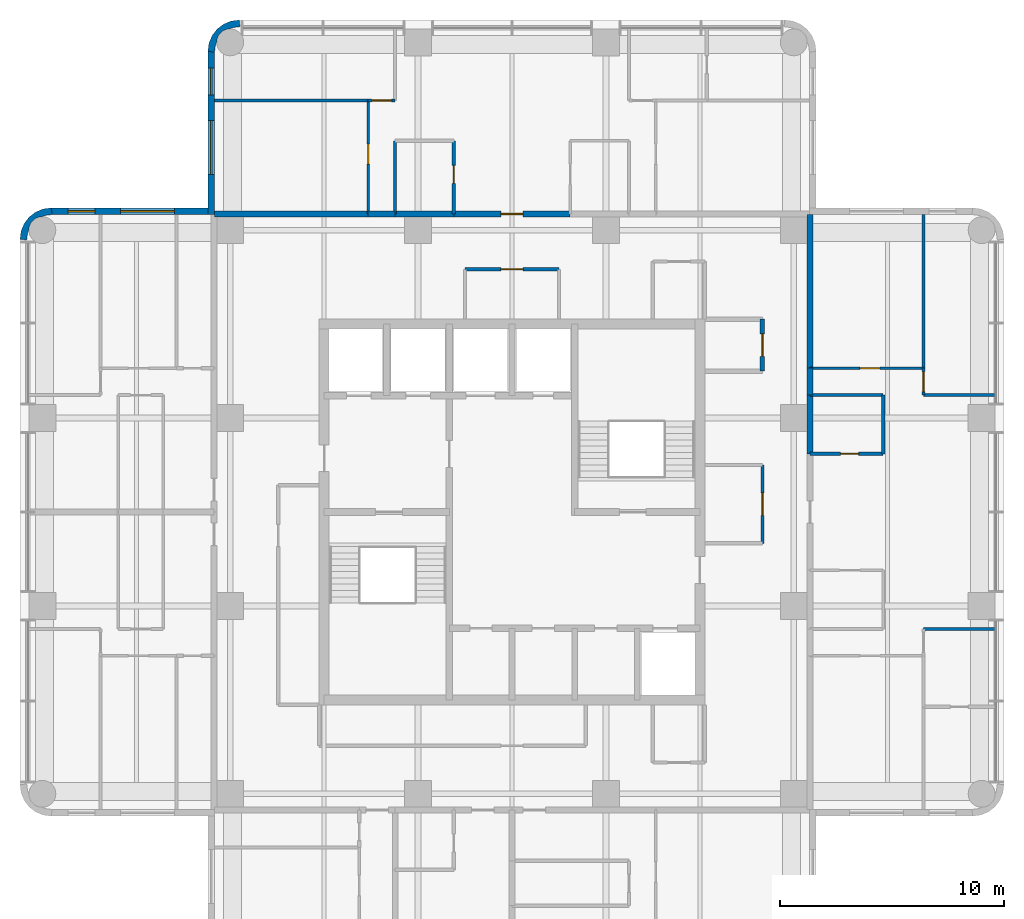
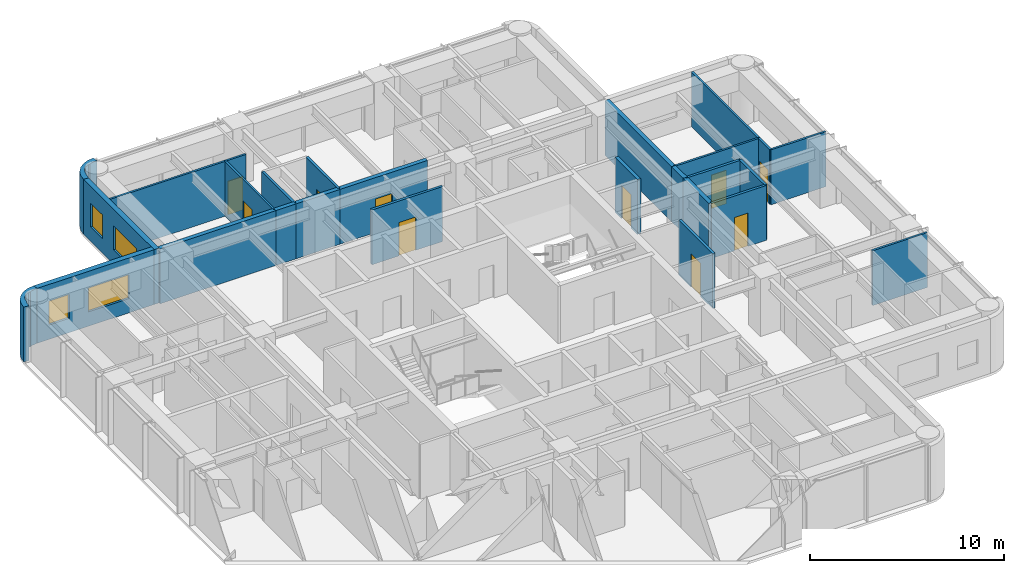
# One storey, part 7 of 9: 27 walls, 10 doors, 4 windows, 14 openings.
"""IFC4 building model written with IfcOpenShell, lengths in metres."""

from ifc_helpers import new_model, si_unit, direction, frame, frame_2d, origin, place, context, subcontext, project, spatial, polyline, rectangle, outline, extrude, material, layer, layer_set, type_object, element, fill, save


model = new_model("IFC4")

# Units and contexts
model_context = context("Model", 3, precision=1e-05, world=origin(), true_north=direction((0.0, 1.0)))
body_context = subcontext(model_context, "Body", "Model", "MODEL_VIEW")
ifc_project = project(units=[si_unit("LENGTHUNIT", "METRE"), si_unit("AREAUNIT", "SQUARE_METRE"), si_unit("VOLUMEUNIT", "CUBIC_METRE"), si_unit("PLANEANGLEUNIT", "RADIAN"), si_unit("MASSUNIT", "GRAM", prefix="KILO")], contexts=[model_context])

# Site, building, storey
site_placement = place(None, origin())
site = spatial("IfcSite", under=ifc_project, at=site_placement, CompositionType="ELEMENT")
building_placement = place(site_placement, origin())
building = spatial("IfcBuilding", under=site, at=building_placement, Name="Torre Alcanfor", CompositionType="ELEMENT")
storey_placement = place(building_placement, frame((0.0, 0.0, 268.5)))
storey = spatial("IfcBuildingStorey", under=building, at=storey_placement, Name="L70", CompositionType="ELEMENT", Elevation=268.5)

# Wall, opening, door
ifc_material_1 = material(Name="Concrete block masonry, hollow blocks NMX-C-404 9 MPa", Category="masonry")
ifc_layer_1 = layer(ifc_material_1, 0.25)
ifc_layer_set_1 = layer_set([ifc_layer_1], Name="Apartment entrance wall 250 EI 60")
wall_type_1 = type_object("IfcWallType", Name="Apartment entrance wall 250 EI 60", PredefinedType="PARTITIONING", material=ifc_layer_set_1)
wall_1_placement = place(storey_placement, frame((26.800048828125, 42.72509765625, 0.0), z_axis=(0.0, 0.0, 1.0), x_axis=(1.0, 0.0, 0.0)))
wall_1 = element("IfcWall", 1, at=wall_1_placement, inside=storey, type_object=wall_type_1, Name="Partition L70-CORR / L70-NX-ZAG", PredefinedType="PARTITIONING", context=body_context, shape_type="SweptSolid", body=[
    extrude(rectangle(XDim=5.199951171875, YDim=0.25, at=frame_2d((2.60009765625, 0.0))), origin(), (0.0, 0.0, 1.0), 3.449951171875),
])
opening_1_placement = place(wall_1_placement, frame((2.10009765625, 0.0, 0.0)))
opening_1 = element("IfcOpeningElement", 2, at=opening_1_placement, cuts=wall_1, Name="Opening D-A1", PredefinedType="OPENING", context=body_context, shape_type="SweptSolid", body=[
    extrude(rectangle(XDim=1.0, YDim=2.10009765625, at=frame_2d((0.5, 1.050048828125))), frame((0.0, 0.135009765625, 0.0), z_axis=(0.0, -1.0, 0.0), x_axis=(1.0, 0.0, 0.0)), (0.0, 0.0, 1.0), 0.27001953125),
])
ifc_material_2 = material(Name="Galvanised steel sheet ASTM A653", Category="steel")
door_type_1 = type_object("IfcDoorType", Name="Apartment entrance door FD60 1000x2100", OperationType="SINGLE_SWING_LEFT", PredefinedType="DOOR", material=ifc_material_2)
door_1_placement = place(opening_1_placement, origin())
door_1 = element("IfcDoor", 3, at=door_1_placement, inside=storey, type_object=door_type_1, Name="Apartment entrance L70-NX", OperationType="SINGLE_SWING_LEFT", OverallHeight=2.10009765625, OverallWidth=1.0, PredefinedType="DOOR", context=body_context, shape_type="SweptSolid", body=[
    extrude(rectangle(XDim=1.0, YDim=2.10009765625, at=frame_2d((0.5, 1.050048828125))), frame((0.0, 0.02490234375, 0.0), z_axis=(0.0, -1.0, 0.0), x_axis=(1.0, 0.0, 0.0)), (0.0, 0.0, 1.0), 0.050048828125),
])
fill(opening_1, door_1)

# Walls
wall_2_placement = place(storey_placement, frame((24.1708984375, 42.72509765625, 0.0), z_axis=(0.0, 0.0, 1.0), x_axis=(1.0, 0.0, 0.0)))
element("IfcWall", 4, at=wall_2_placement, inside=storey, type_object=wall_type_1, Name="Partition L70-CORR / L70-NX-BATH2", PredefinedType="PARTITIONING", context=body_context, shape_type="SweptSolid", body=[
    extrude(rectangle(XDim=2.629150390625, YDim=0.25, at=frame_2d((1.314453125, 0.0))), origin(), (0.0, 0.0, 1.0), 3.449951171875),
])
wall_3_placement = place(storey_placement, frame((22.970947265625, 42.72509765625, 0.0), z_axis=(0.0, 0.0, 1.0), x_axis=(1.0, 0.0, 0.0)))
element("IfcWall", 5, at=wall_3_placement, inside=storey, type_object=wall_type_1, Name="Partition L70-CORR / L70-NX-LIVING", PredefinedType="PARTITIONING", context=body_context, shape_type="SweptSolid", body=[
    extrude(rectangle(XDim=1.199951171875, YDim=0.25, at=frame_2d((0.60009765625, 0.0))), origin(), (0.0, 0.0, 1.0), 3.449951171875),
])
wall_4_placement = place(storey_placement, frame((16.10009765625, 42.72509765625, 0.0), z_axis=(0.0, 0.0, 1.0), x_axis=(1.0, 0.0, 0.0)))
element("IfcWall", 6, at=wall_4_placement, inside=storey, type_object=wall_type_1, Name="Partition L70-CORR / L70-NX-BED2", PredefinedType="PARTITIONING", context=body_context, shape_type="SweptSolid", body=[
    extrude(rectangle(XDim=6.870849609375, YDim=0.25, at=frame_2d((3.435546875, 0.0))), origin(), (0.0, 0.0, 1.0), 3.449951171875),
])
wall_5_placement = place(storey_placement, frame((42.72509765625, 34.62890625, 0.0), z_axis=(0.0, 0.0, 1.0), x_axis=(0.0, -1.0, 0.0)))
element("IfcWall", 7, at=wall_5_placement, inside=storey, type_object=wall_type_1, Name="Partition L70-CORR / L70-EX-BATH2", PredefinedType="PARTITIONING", context=body_context, shape_type="SweptSolid", body=[
    extrude(rectangle(XDim=2.62890625, YDim=0.25, at=frame_2d((1.314453125, 0.0))), origin(), (0.0, 0.0, 1.0), 3.449951171875),
])
wall_6_placement = place(storey_placement, frame((42.72509765625, 35.8291015625, 0.0), z_axis=(0.0, 0.0, 1.0), x_axis=(0.0, -1.0, 0.0)))
element("IfcWall", 8, at=wall_6_placement, inside=storey, type_object=wall_type_1, Name="Partition L70-CORR / L70-EX-LIVING", PredefinedType="PARTITIONING", context=body_context, shape_type="SweptSolid", body=[
    extrude(rectangle(XDim=1.2001953125, YDim=0.25, at=frame_2d((0.60009765625, 0.0))), origin(), (0.0, 0.0, 1.0), 3.449951171875),
])
wall_7_placement = place(storey_placement, frame((42.72509765625, 42.699951171875, 0.0), z_axis=(0.0, 0.0, 1.0), x_axis=(0.0, -1.0, 0.0)))
element("IfcWall", 9, at=wall_7_placement, inside=storey, type_object=wall_type_1, Name="Partition L70-CORR / L70-EX-BED2", PredefinedType="PARTITIONING", context=body_context, shape_type="SweptSolid", body=[
    extrude(rectangle(XDim=6.870849609375, YDim=0.25, at=frame_2d((3.435546875, 0.0))), origin(), (0.0, 0.0, 1.0), 3.449951171875),
])

# Wall, opening, door
ifc_material_3 = material(Name="Gypsum board on steel studs", Category="steel")
ifc_layer_2 = layer(ifc_material_3, 0.1201171875)
ifc_layer_set_2 = layer_set([ifc_layer_2], Name="Apartment partition 120")
wall_type_2 = type_object("IfcWallType", Name="Apartment partition 120", PredefinedType="PARTITIONING", material=ifc_layer_set_2)
wall_8_placement = place(storey_placement, frame((22.970947265625, 42.72509765625, 0.0), z_axis=(0.0, 0.0, 1.0), x_axis=(0.0, 1.0, 0.0)))
wall_8 = element("IfcWall", 10, at=wall_8_placement, inside=storey, type_object=wall_type_2, Name="Partition L70-NX-LIVING / L70-NX-BED2", PredefinedType="PARTITIONING", context=body_context, shape_type="SweptSolid", body=[
    extrude(rectangle(XDim=5.074951171875, YDim=0.1201171875, at=frame_2d((2.53759765625, 0.0))), origin(), (0.0, 0.0, 1.0), 3.449951171875),
])
opening_2_placement = place(wall_8_placement, frame((2.22509765625, 0.0, 0.0)))
opening_2 = element("IfcOpeningElement", 11, at=opening_2_placement, cuts=wall_8, Name="Opening D-R1", PredefinedType="OPENING", context=body_context, shape_type="SweptSolid", body=[
    extrude(rectangle(XDim=0.89990234375, YDim=2.10009765625, at=frame_2d((0.449951171875, 1.050048828125))), frame((0.0, 0.070068359375, 0.0), z_axis=(0.0, -1.0, 0.0), x_axis=(1.0, 0.0, 0.0)), (0.0, 0.0, 1.0), 0.14013671875),
])
ifc_material_4 = material(Name="Timber", Category="wood")
door_type_2 = type_object("IfcDoorType", Name="Internal door 900x2100", OperationType="SINGLE_SWING_LEFT", PredefinedType="DOOR", material=ifc_material_4)
door_2_placement = place(opening_2_placement, origin())
door_2 = element("IfcDoor", 12, at=door_2_placement, inside=storey, type_object=door_type_2, Name="Door L70-NX bed2", OperationType="SINGLE_SWING_RIGHT", OverallHeight=2.10009765625, OverallWidth=0.89990234375, PredefinedType="DOOR", context=body_context, shape_type="SweptSolid", body=[
    extrude(rectangle(XDim=0.89990234375, YDim=2.10009765625, at=frame_2d((0.449951171875, 1.050048828125))), frame((0.0, 0.02490234375, 0.0), z_axis=(0.0, -1.0, 0.0), x_axis=(1.0, 0.0, 0.0)), (0.0, 0.0, 1.0), 0.050048828125),
])
fill(opening_2, door_2)

wall_9_placement = place(storey_placement, frame((22.970947265625, 47.800048828125, 0.0), z_axis=(0.0, 0.0, 1.0), x_axis=(1.0, 0.0, 0.0)))
wall_9 = element("IfcWall", 13, at=wall_9_placement, inside=storey, type_object=wall_type_2, Name="Partition L70-NX-LIVING / L70-NX-MASTER", PredefinedType="PARTITIONING", context=body_context, shape_type="SweptSolid", body=[
    extrude(rectangle(XDim=1.199951171875, YDim=0.1201171875, at=frame_2d((0.60009765625, 0.0))), origin(), (0.0, 0.0, 1.0), 3.449951171875),
])
opening_3_placement = place(wall_9_placement, frame((0.14892578125, 0.0, 0.0)))
opening_3 = element("IfcOpeningElement", 14, at=opening_3_placement, cuts=wall_9, Name="Opening D-R1", PredefinedType="OPENING", context=body_context, shape_type="SweptSolid", body=[
    extrude(rectangle(XDim=0.89990234375, YDim=2.10009765625, at=frame_2d((0.449951171875, 1.050048828125))), frame((0.0, 0.070068359375, 0.0), z_axis=(0.0, -1.0, 0.0), x_axis=(1.0, 0.0, 0.0)), (0.0, 0.0, 1.0), 0.14013671875),
])
door_3_placement = place(opening_3_placement, origin())
door_3 = element("IfcDoor", 15, at=door_3_placement, inside=storey, type_object=door_type_2, Name="Door L70-NX master", OperationType="SINGLE_SWING_RIGHT", OverallHeight=2.10009765625, OverallWidth=0.89990234375, PredefinedType="DOOR", context=body_context, shape_type="SweptSolid", body=[
    extrude(rectangle(XDim=0.89990234375, YDim=2.10009765625, at=frame_2d((0.449951171875, 1.050048828125))), frame((0.0, 0.02490234375, 0.0), z_axis=(0.0, -1.0, 0.0), x_axis=(1.0, 0.0, 0.0)), (0.0, 0.0, 1.0), 0.050048828125),
])
fill(opening_3, door_3)

# Wall
wall_10_placement = place(storey_placement, frame((22.970947265625, 47.800048828125, 0.0), z_axis=(0.0, 0.0, 1.0), x_axis=(-1.0, 0.0, 0.0)))
element("IfcWall", 16, at=wall_10_placement, inside=storey, type_object=wall_type_2, Name="Partition L70-NX-BED2 / L70-NX-MASTER", PredefinedType="PARTITIONING", context=body_context, shape_type="SweptSolid", body=[
    extrude(rectangle(XDim=6.870849609375, YDim=0.1201171875, at=frame_2d((3.435546875, 0.0))), origin(), (0.0, 0.0, 1.0), 3.449951171875),
])

# Wall, opening, door
wall_11_placement = place(storey_placement, frame((42.72509765625, 35.8291015625, 0.0), z_axis=(0.0, 0.0, 1.0), x_axis=(1.0, 0.0, 0.0)))
wall_11 = element("IfcWall", 17, at=wall_11_placement, inside=storey, type_object=wall_type_2, Name="Partition L70-EX-LIVING / L70-EX-BED2", PredefinedType="PARTITIONING", context=body_context, shape_type="SweptSolid", body=[
    extrude(rectangle(XDim=5.074951171875, YDim=0.1201171875, at=frame_2d((2.53759765625, 0.0))), origin(), (0.0, 0.0, 1.0), 3.449951171875),
])
opening_4_placement = place(wall_11_placement, frame((2.22509765625, 0.0, 0.0)))
opening_4 = element("IfcOpeningElement", 18, at=opening_4_placement, cuts=wall_11, Name="Opening D-R1", PredefinedType="OPENING", context=body_context, shape_type="SweptSolid", body=[
    extrude(rectangle(XDim=0.89990234375, YDim=2.10009765625, at=frame_2d((0.449951171875, 1.050048828125))), frame((0.0, 0.070068359375, 0.0), z_axis=(0.0, -1.0, 0.0), x_axis=(1.0, 0.0, 0.0)), (0.0, 0.0, 1.0), 0.14013671875),
])
door_4_placement = place(opening_4_placement, origin())
door_4 = element("IfcDoor", 19, at=door_4_placement, inside=storey, type_object=door_type_2, Name="Door L70-EX bed2", OperationType="SINGLE_SWING_RIGHT", OverallHeight=2.10009765625, OverallWidth=0.89990234375, PredefinedType="DOOR", context=body_context, shape_type="SweptSolid", body=[
    extrude(rectangle(XDim=0.89990234375, YDim=2.10009765625, at=frame_2d((0.449951171875, 1.050048828125))), frame((0.0, 0.02490234375, 0.0), z_axis=(0.0, -1.0, 0.0), x_axis=(1.0, 0.0, 0.0)), (0.0, 0.0, 1.0), 0.050048828125),
])
fill(opening_4, door_4)

wall_12_placement = place(storey_placement, frame((47.800048828125, 35.8291015625, 0.0), z_axis=(0.0, 0.0, 1.0), x_axis=(0.0, -1.0, 0.0)))
wall_12 = element("IfcWall", 20, at=wall_12_placement, inside=storey, type_object=wall_type_2, Name="Partition L70-EX-LIVING / L70-EX-MASTER", PredefinedType="PARTITIONING", context=body_context, shape_type="SweptSolid", body=[
    extrude(rectangle(XDim=1.2001953125, YDim=0.1201171875, at=frame_2d((0.60009765625, 0.0))), origin(), (0.0, 0.0, 1.0), 3.449951171875),
])
opening_5_placement = place(wall_12_placement, frame((0.14892578125, 0.0, 0.0)))
opening_5 = element("IfcOpeningElement", 21, at=opening_5_placement, cuts=wall_12, Name="Opening D-R1", PredefinedType="OPENING", context=body_context, shape_type="SweptSolid", body=[
    extrude(rectangle(XDim=0.89990234375, YDim=2.10009765625, at=frame_2d((0.449951171875, 1.050048828125))), frame((0.0, 0.070068359375, 0.0), z_axis=(0.0, -1.0, 0.0), x_axis=(1.0, 0.0, 0.0)), (0.0, 0.0, 1.0), 0.14013671875),
])
door_5_placement = place(opening_5_placement, origin())
door_5 = element("IfcDoor", 22, at=door_5_placement, inside=storey, type_object=door_type_2, Name="Door L70-EX master", OperationType="SINGLE_SWING_RIGHT", OverallHeight=2.10009765625, OverallWidth=0.89990234375, PredefinedType="DOOR", context=body_context, shape_type="SweptSolid", body=[
    extrude(rectangle(XDim=0.89990234375, YDim=2.10009765625, at=frame_2d((0.449951171875, 1.050048828125))), frame((0.0, 0.02490234375, 0.0), z_axis=(0.0, -1.0, 0.0), x_axis=(1.0, 0.0, 0.0)), (0.0, 0.0, 1.0), 0.050048828125),
])
fill(opening_5, door_5)

# Walls
for number, where, z_axis, x_axis, name in (
    (23, (47.800048828125, 34.62890625, 0.0), (0.0, 0.0, 1.0), (1.0, 0.0, 0.0), "Partition L70-EX-LIVING / L70-EX-MASTER"),
    (24, (51.050048828125, 24.1708984375, 0.0), (0.0, 0.0, 1.0), (-1.0, 0.0, 0.0), "Partition L70-EX-LIVING / L70-EX-BED1"),
):
    element("IfcWall", number, at=place(storey_placement, frame(where, z_axis=z_axis, x_axis=x_axis)), inside=storey, type_object=wall_type_2, Name=name, PredefinedType="PARTITIONING", context=body_context, shape_type="SweptSolid", body=[
        extrude(rectangle(XDim=3.25, YDim=0.1201171875, at=frame_2d((1.625, 0.0))), origin(), (0.0, 0.0, 1.0), 3.449951171875),
    ])
wall_13_placement = place(storey_placement, frame((47.800048828125, 35.8291015625, 0.0), z_axis=(0.0, 0.0, 1.0), x_axis=(0.0, 1.0, 0.0)))
element("IfcWall", 25, at=wall_13_placement, inside=storey, type_object=wall_type_2, Name="Partition L70-EX-BED2 / L70-EX-MASTER", PredefinedType="PARTITIONING", context=body_context, shape_type="SweptSolid", body=[
    extrude(rectangle(XDim=6.870849609375, YDim=0.1201171875, at=frame_2d((3.435546875, 0.0))), origin(), (0.0, 0.0, 1.0), 3.449951171875),
])

# Wall, openings, windows
ifc_material_5 = material(Name="Limestone cladding", Category="masonry")
ifc_layer_3 = layer(ifc_material_5, 0.0400390625, Name="Facing")
ifc_material_6 = material(Name="Ventilated air cavity")
ifc_layer_4 = layer(ifc_material_6, 0.02001953125, ventilated=True, Name="Ventilated joint")
ifc_material_7 = material(Name="Mineral wool insulation", Category="insulation")
ifc_layer_5 = layer(ifc_material_7, 0.10009765625, Name="Insulation")
ifc_material_8 = material(Name="Concrete f'c 35 MPa", Category="concrete")
ifc_layer_6 = layer(ifc_material_8, 0.139892578125, Name="Backing")
ifc_layer_set_3 = layer_set([ifc_layer_3, ifc_layer_4, ifc_layer_5, ifc_layer_6], Name="External wall stone-clad 300")
wall_type_3 = type_object("IfcWallType", Name="External wall stone-clad 300", PredefinedType="SOLIDWALL", material=ifc_layer_set_3)
wall_14_placement = place(storey_placement, frame((15.800048828125, 42.85009765625, 0.0), z_axis=(0.0, 0.0, 1.0), x_axis=(-1.0, 0.0, 0.0)))
wall_14 = element("IfcWall", 26, at=wall_14_placement, inside=storey, type_object=wall_type_3, Name="External wall L70 1", PredefinedType="SOLIDWALL", context=body_context, shape_type="SweptSolid", body=[
    extrude(rectangle(XDim=7.0, YDim=0.300048828125, at=frame_2d((3.5, 0.0))), origin(), (0.0, 0.0, 1.0), 3.449951171875),
])
opening_6_placement = place(wall_14_placement, frame((1.5, 0.0, 0.89990234375)))
opening_6 = element("IfcOpeningElement", 27, at=opening_6_placement, cuts=wall_14, Name="Opening W1", PredefinedType="OPENING", context=body_context, shape_type="SweptSolid", body=[
    extrude(rectangle(XDim=2.39990234375, YDim=1.5, at=frame_2d((1.199951171875, 0.75))), frame((0.0, 0.159912109375, 0.0), z_axis=(0.0, -1.0, 0.0), x_axis=(1.0, 0.0, 0.0)), (0.0, 0.0, 1.0), 0.320068359375),
])
opening_7_placement = place(wall_14_placement, frame((5.050048828125, 0.0, 0.89990234375)))
opening_7 = element("IfcOpeningElement", 28, at=opening_7_placement, cuts=wall_14, Name="Opening W4", PredefinedType="OPENING", context=body_context, shape_type="SweptSolid", body=[
    extrude(rectangle(XDim=1.199951171875, YDim=1.5, at=frame_2d((0.60009765625, 0.75))), frame((0.0, 0.159912109375, 0.0), z_axis=(0.0, -1.0, 0.0), x_axis=(1.0, 0.0, 0.0)), (0.0, 0.0, 1.0), 0.320068359375),
])
ifc_material_9 = material(Name="Aluminium frame with clear double glazing", Category="aluminium")
window_type_1 = type_object("IfcWindowType", Name="Window bedroom 1200x1500", PartitioningType="SINGLE_PANEL", PredefinedType="WINDOW", material=ifc_material_9)
window_1_placement = place(opening_7_placement, origin())
window_1 = element("IfcWindow", 29, at=window_1_placement, inside=storey, type_object=window_type_1, Name="Window W4 L70-W2", OverallHeight=1.5, OverallWidth=1.199951171875, PartitioningType="SINGLE_PANEL", PredefinedType="WINDOW", context=body_context, shape_type="SweptSolid", body=[
    extrude(rectangle(XDim=1.199951171875, YDim=1.5, at=frame_2d((0.60009765625, 0.75))), frame((0.0, 0.030029296875, 0.0), z_axis=(0.0, -1.0, 0.0), x_axis=(1.0, 0.0, 0.0)), (0.0, 0.0, 1.0), 0.06005859375),
])
fill(opening_7, window_1)
ifc_material_10 = material(Name="Aluminium frame with clear double glazing", Category="aluminium")
window_type_2 = type_object("IfcWindowType", Name="Window bedroom 2400x1500", PartitioningType="SINGLE_PANEL", PredefinedType="WINDOW", material=ifc_material_10)
window_2_placement = place(opening_6_placement, origin())
window_2 = element("IfcWindow", 30, at=window_2_placement, inside=storey, type_object=window_type_2, Name="Window W1 L70-W2", OverallHeight=1.5, OverallWidth=2.39990234375, PartitioningType="SINGLE_PANEL", PredefinedType="WINDOW", context=body_context, shape_type="SweptSolid", body=[
    extrude(rectangle(XDim=2.39990234375, YDim=1.5, at=frame_2d((1.199951171875, 0.75))), frame((0.0, 0.030029296875, 0.0), z_axis=(0.0, -1.0, 0.0), x_axis=(1.0, 0.0, 0.0)), (0.0, 0.0, 1.0), 0.06005859375),
])
fill(opening_6, window_2)

wall_15_placement = place(storey_placement, frame((15.949951171875, 50.0, 0.0), z_axis=(0.0, 0.0, 1.0), x_axis=(0.0, -1.0, 0.0)))
wall_15 = element("IfcWall", 31, at=wall_15_placement, inside=storey, type_object=wall_type_3, Name="External wall L70 12", PredefinedType="SOLIDWALL", context=body_context, shape_type="SweptSolid", body=[
    extrude(rectangle(XDim=7.300048828125, YDim=0.300048828125, at=frame_2d((3.64990234375, 0.0))), origin(), (0.0, 0.0, 1.0), 3.449951171875),
])
opening_8_placement = place(wall_15_placement, frame((3.10009765625, 0.0, 0.89990234375)))
opening_8 = element("IfcOpeningElement", 32, at=opening_8_placement, cuts=wall_15, Name="Opening W1", PredefinedType="OPENING", context=body_context, shape_type="SweptSolid", body=[
    extrude(rectangle(XDim=2.39990234375, YDim=1.5, at=frame_2d((1.199951171875, 0.75))), frame((0.0, 0.159912109375, 0.0), z_axis=(0.0, -1.0, 0.0), x_axis=(1.0, 0.0, 0.0)), (0.0, 0.0, 1.0), 0.320068359375),
])
opening_9_placement = place(wall_15_placement, frame((0.75, 0.0, 0.89990234375)))
opening_9 = element("IfcOpeningElement", 33, at=opening_9_placement, cuts=wall_15, Name="Opening W4", PredefinedType="OPENING", context=body_context, shape_type="SweptSolid", body=[
    extrude(rectangle(XDim=1.199951171875, YDim=1.5, at=frame_2d((0.60009765625, 0.75))), frame((0.0, 0.159912109375, 0.0), z_axis=(0.0, -1.0, 0.0), x_axis=(1.0, 0.0, 0.0)), (0.0, 0.0, 1.0), 0.320068359375),
])
window_3_placement = place(opening_9_placement, origin())
window_3 = element("IfcWindow", 34, at=window_3_placement, inside=storey, type_object=window_type_1, Name="Window W4 L70-N1", OverallHeight=1.5, OverallWidth=1.199951171875, PartitioningType="SINGLE_PANEL", PredefinedType="WINDOW", context=body_context, shape_type="SweptSolid", body=[
    extrude(rectangle(XDim=1.199951171875, YDim=1.5, at=frame_2d((0.60009765625, 0.75))), frame((0.0, 0.030029296875, 0.0), z_axis=(0.0, -1.0, 0.0), x_axis=(1.0, 0.0, 0.0)), (0.0, 0.0, 1.0), 0.06005859375),
])
fill(opening_9, window_3)
window_4_placement = place(opening_8_placement, origin())
window_4 = element("IfcWindow", 35, at=window_4_placement, inside=storey, type_object=window_type_2, Name="Window W1 L70-N1", OverallHeight=1.5, OverallWidth=2.39990234375, PartitioningType="SINGLE_PANEL", PredefinedType="WINDOW", context=body_context, shape_type="SweptSolid", body=[
    extrude(rectangle(XDim=2.39990234375, YDim=1.5, at=frame_2d((1.199951171875, 0.75))), frame((0.0, 0.030029296875, 0.0), z_axis=(0.0, -1.0, 0.0), x_axis=(1.0, 0.0, 0.0)), (0.0, 0.0, 1.0), 0.06005859375),
])
fill(opening_8, window_4)

# Wall, opening, door
ifc_material_11 = material(Name="Concrete block masonry, hollow blocks NMX-C-404 9 MPa", Category="masonry")
ifc_layer_7 = layer(ifc_material_11, 0.199951171875)
ifc_layer_set_4 = layer_set([ifc_layer_7], Name="Plant room wall 200 EI 60")
wall_type_4 = type_object("IfcWallType", Name="Plant room wall 200 EI 60", PredefinedType="PARTITIONING", material=ifc_layer_set_4)
wall_16_placement = place(storey_placement, frame((40.60009765625, 35.699951171875, 0.0), z_axis=(0.0, 0.0, 1.0), x_axis=(0.0, 1.0, 0.0)))
wall_16 = element("IfcWall", 36, at=wall_16_placement, inside=storey, type_object=wall_type_4, Name="Partition L70-CORR / L70-G04", PredefinedType="PARTITIONING", context=body_context, shape_type="SweptSolid", body=[
    extrude(rectangle(XDim=2.324951171875, YDim=0.199951171875, at=frame_2d((1.16259765625, 0.0))), origin(), (0.0, 0.0, 1.0), 3.449951171875),
])
opening_10_placement = place(wall_16_placement, frame((0.66259765625, 0.0, 0.0)))
opening_10 = element("IfcOpeningElement", 37, at=opening_10_placement, cuts=wall_16, Name="Opening D-K1", PredefinedType="OPENING", context=body_context, shape_type="SweptSolid", body=[
    extrude(rectangle(XDim=1.0, YDim=2.10009765625, at=frame_2d((0.5, 1.050048828125))), frame((0.0, 0.10986328125, 0.0), z_axis=(0.0, -1.0, 0.0), x_axis=(1.0, 0.0, 0.0)), (0.0, 0.0, 1.0), 0.219970703125),
])
ifc_material_12 = material(Name="Galvanised steel sheet ASTM A653", Category="steel")
door_type_3 = type_object("IfcDoorType", Name="Core room door FD60 1000x2100", OperationType="SINGLE_SWING_LEFT", PredefinedType="DOOR", material=ifc_material_12)
door_6_placement = place(opening_10_placement, origin())
door_6 = element("IfcDoor", 38, at=door_6_placement, inside=storey, type_object=door_type_3, Name="Door L70-G04 refuse and recycling store", OperationType="SINGLE_SWING_LEFT", OverallHeight=2.10009765625, OverallWidth=1.0, PredefinedType="DOOR", context=body_context, shape_type="SweptSolid", body=[
    extrude(rectangle(XDim=1.0, YDim=2.10009765625, at=frame_2d((0.5, 1.050048828125))), frame((0.0, 0.02490234375, 0.0), z_axis=(0.0, -1.0, 0.0), x_axis=(1.0, 0.0, 0.0)), (0.0, 0.0, 1.0), 0.050048828125),
])
fill(opening_10, door_6)

ifc_material_13 = material(Name="Concrete block masonry, hollow blocks NMX-C-404 9 MPa", Category="masonry")
ifc_layer_8 = layer(ifc_material_13, 0.14990234375)
ifc_layer_set_5 = layer_set([ifc_layer_8], Name="Residents' room partition 150")
wall_type_5 = type_object("IfcWallType", Name="Residents' room partition 150", PredefinedType="PARTITIONING", material=ifc_layer_set_5)
wall_17_placement = place(storey_placement, frame((31.5, 40.25, 0.0), z_axis=(0.0, 0.0, 1.0), x_axis=(-1.0, 0.0, 0.0)))
wall_17 = element("IfcWall", 39, at=wall_17_placement, inside=storey, type_object=wall_type_5, Name="Partition L70-CORR / L70-G01", PredefinedType="PARTITIONING", context=body_context, shape_type="SweptSolid", body=[
    extrude(rectangle(XDim=4.199951171875, YDim=0.14990234375, at=frame_2d((2.10009765625, 0.0))), origin(), (0.0, 0.0, 1.0), 3.449951171875),
])
opening_11_placement = place(wall_17_placement, frame((1.60009765625, 0.0, 0.0)))
opening_11 = element("IfcOpeningElement", 40, at=opening_11_placement, cuts=wall_17, Name="Opening D-M1", PredefinedType="OPENING", context=body_context, shape_type="SweptSolid", body=[
    extrude(rectangle(XDim=1.0, YDim=2.10009765625, at=frame_2d((0.5, 1.050048828125))), frame((0.0, 0.0849609375, 0.0), z_axis=(0.0, -1.0, 0.0), x_axis=(1.0, 0.0, 0.0)), (0.0, 0.0, 1.0), 0.169921875),
])
ifc_material_14 = material(Name="Timber", Category="wood")
door_type_4 = type_object("IfcDoorType", Name="Residents' room door 1000x2100", OperationType="SINGLE_SWING_LEFT", PredefinedType="DOOR", material=ifc_material_14)
door_7_placement = place(opening_11_placement, origin())
door_7 = element("IfcDoor", 41, at=door_7_placement, inside=storey, type_object=door_type_4, Name="Door L70-G01 cleaners' store", OperationType="SINGLE_SWING_LEFT", OverallHeight=2.10009765625, OverallWidth=1.0, PredefinedType="DOOR", context=body_context, shape_type="SweptSolid", body=[
    extrude(rectangle(XDim=1.0, YDim=2.10009765625, at=frame_2d((0.5, 1.050048828125))), frame((0.0, 0.02490234375, 0.0), z_axis=(0.0, -1.0, 0.0), x_axis=(1.0, 0.0, 0.0)), (0.0, 0.0, 1.0), 0.050048828125),
])
fill(opening_11, door_7)

wall_18_placement = place(storey_placement, frame((40.60009765625, 28.0, 0.0), z_axis=(0.0, 0.0, 1.0), x_axis=(0.0, 1.0, 0.0)))
wall_18 = element("IfcWall", 42, at=wall_18_placement, inside=storey, type_object=wall_type_5, Name="Partition L70-CORR / L70-G03", PredefinedType="PARTITIONING", context=body_context, shape_type="SweptSolid", body=[
    extrude(rectangle(XDim=3.5, YDim=0.14990234375, at=frame_2d((1.75, 0.0))), origin(), (0.0, 0.0, 1.0), 3.449951171875),
])
opening_12_placement = place(wall_18_placement, frame((1.25, 0.0, 0.0)))
opening_12 = element("IfcOpeningElement", 43, at=opening_12_placement, cuts=wall_18, Name="Opening D-M1", PredefinedType="OPENING", context=body_context, shape_type="SweptSolid", body=[
    extrude(rectangle(XDim=1.0, YDim=2.10009765625, at=frame_2d((0.5, 1.050048828125))), frame((0.0, 0.0849609375, 0.0), z_axis=(0.0, -1.0, 0.0), x_axis=(1.0, 0.0, 0.0)), (0.0, 0.0, 1.0), 0.169921875),
])
door_8_placement = place(opening_12_placement, origin())
door_8 = element("IfcDoor", 44, at=door_8_placement, inside=storey, type_object=door_type_4, Name="Door L70-G03 residents' lockers", OperationType="SINGLE_SWING_LEFT", OverallHeight=2.10009765625, OverallWidth=1.0, PredefinedType="DOOR", context=body_context, shape_type="SweptSolid", body=[
    extrude(rectangle(XDim=1.0, YDim=2.10009765625, at=frame_2d((0.5, 1.050048828125))), frame((0.0, 0.02490234375, 0.0), z_axis=(0.0, -1.0, 0.0), x_axis=(1.0, 0.0, 0.0)), (0.0, 0.0, 1.0), 0.050048828125),
])
fill(opening_12, door_8)

# Walls
ifc_layer_9 = layer(ifc_material_5, 0.0400390625, Name="Facing")
ifc_layer_10 = layer(ifc_material_6, 0.02001953125, ventilated=True, Name="Ventilated joint")
ifc_layer_11 = layer(ifc_material_7, 0.10009765625, Name="Insulation")
ifc_layer_12 = layer(ifc_material_8, 0.139892578125, Name="Backing")
ifc_layer_set_6 = layer_set([ifc_layer_9, ifc_layer_10, ifc_layer_11, ifc_layer_12], Name="Rounded corner pier stone-clad 300")
wall_type_6 = type_object("IfcWallType", Name="Rounded corner pier stone-clad 300", PredefinedType="SOLIDWALL", material=ifc_layer_set_6)
wall_19_placement = place(storey_placement, frame((8.761581746, 42.575898117, 0.0), z_axis=(0.0, 0.0, 1.0), x_axis=(-0.707106781187, 0.707106781187, 0.0)))
element("IfcWall", 45, at=wall_19_placement, inside=storey, type_object=wall_type_6, Name="Corner pier L70 13", PredefinedType="SOLIDWALL", context=body_context, shape_type="SweptSolid", body=[
    extrude(outline(polyline([(0.23297927971509194, 0.11416555226925892), (0.04670774238592084, -0.12872977027211618), (0.032551796082869844, -0.1428857165751672), (0.27268498276023495, -0.32708565200633083), (0.49520955330453675, -0.03723401977678656), (0.6350426814200405, 0.3004370895984301), (0.6826895250742122, 0.6629674217497361), (0.6350426814200405, 1.025152486918041), (0.49520955330453664, 1.3628235962932576), (0.27285761625173566, 1.6528478620143026), (0.032724429574370495, 1.468647926583139), (0.0467077423859209, 1.4546646137715884), (0.23315191320659262, 1.2115966577387127), (0.29219256729980525, 1.0690013937591991), (0.3577932940700416, 1.0034006669889626), (0.44946167805687187, 0.7826024313596671), (0.44946167805687187, 0.5433324121398051), (0.3579659275615422, 0.322361543019009), (0.29219256729980525, 0.256588182757272), (0.23297927971509194, 0.11416555226925892)])), origin(), (0.0, 0.0, 1.0), 3.449951171875),
])
wall_20_placement = place(storey_placement, frame((17.161581746, 50.975898117, 0.0), z_axis=(0.0, 0.0, 1.0), x_axis=(-0.707106781187, 0.707106781187, 0.0)))
element("IfcWall", 46, at=wall_20_placement, inside=storey, type_object=wall_type_6, Name="Corner pier L70 20", PredefinedType="SOLIDWALL", context=body_context, shape_type="SweptSolid", body=[
    extrude(outline(polyline([(0.04670774238592209, -0.12893693046191768), (0.03272442957437171, -0.14292024327346806), (0.2726849827602362, -0.3269475452131311), (0.495209553304538, -0.03709591298358683), (0.6350426814200417, 0.3005751963916298), (0.6826895250742134, 0.6627602615599347), (0.6350426814200417, 1.0252905937112406), (0.495209553304538, 1.3629617030864574), (0.2726849827602362, 1.6528133353160017), (0.032551796082871065, 1.468613399884838), (0.04653510889442147, 1.4546300870732876), (0.23315191320659384, 1.2117347645319125), (0.2921925672998066, 1.069139500552399), (0.35796592756154355, 1.003366140290662), (0.44946167805687315, 0.7823952711698656), (0.44928904456537255, 0.5432978854415043), (0.3579659275615435, 0.32249964981220874), (0.2921925672998065, 0.2567262895504718), (0.2331519132065938, 0.11413102557095803), (0.04670774238592209, -0.12893693046191768)])), origin(), (0.0, 0.0, 1.0), 3.449951171875),
])

# Wall, opening, door
ifc_material_15 = material(Name="Cement board on steel studs", Category="steel")
ifc_layer_13 = layer(ifc_material_15, 0.14990234375)
ifc_layer_set_7 = layer_set([ifc_layer_13], Name="Wet area partition 150")
wall_type_7 = type_object("IfcWallType", Name="Wet area partition 150", PredefinedType="PARTITIONING", material=ifc_layer_set_7)
wall_21_placement = place(storey_placement, frame((26.800048828125, 46.0, 0.0), z_axis=(0.0, 0.0, 1.0), x_axis=(0.0, -1.0, 0.0)))
wall_21 = element("IfcWall", 47, at=wall_21_placement, inside=storey, type_object=wall_type_7, Name="Partition L70-NX-ZAG / L70-NX-BATH2", PredefinedType="PARTITIONING", context=body_context, shape_type="SweptSolid", body=[
    extrude(rectangle(XDim=3.27490234375, YDim=0.14990234375, at=frame_2d((1.637451171875, 0.0))), origin(), (0.0, 0.0, 1.0), 3.449951171875),
])
opening_13_placement = place(wall_21_placement, frame((1.10009765625, 0.0, 0.0)))
opening_13 = element("IfcOpeningElement", 48, at=opening_13_placement, cuts=wall_21, Name="Opening D-R2", PredefinedType="OPENING", context=body_context, shape_type="SweptSolid", body=[
    extrude(rectangle(XDim=0.800048828125, YDim=2.10009765625, at=frame_2d((0.39990234375, 1.050048828125))), frame((0.0, 0.0849609375, 0.0), z_axis=(0.0, -1.0, 0.0), x_axis=(1.0, 0.0, 0.0)), (0.0, 0.0, 1.0), 0.169921875),
])
ifc_material_16 = material(Name="Timber", Category="wood")
door_type_5 = type_object("IfcDoorType", Name="Bathroom door 800x2100", OperationType="SINGLE_SWING_LEFT", PredefinedType="DOOR", material=ifc_material_16)
door_9_placement = place(opening_13_placement, frame((0.800048828125, 0.0, 0.0), z_axis=(0.0, 0.0, 1.0), x_axis=(-1.0, 0.0, 0.0)))
door_9 = element("IfcDoor", 49, at=door_9_placement, inside=storey, type_object=door_type_5, Name="Door L70-NX bath2", OperationType="SINGLE_SWING_RIGHT", OverallHeight=2.10009765625, OverallWidth=0.800048828125, PredefinedType="DOOR", context=body_context, shape_type="SweptSolid", body=[
    extrude(rectangle(XDim=0.800048828125, YDim=2.10009765625, at=frame_2d((0.400146484375, 1.050048828125))), frame((0.0, 0.025146484375, 0.0), z_axis=(0.0, -1.0, 0.0), x_axis=(1.0, 0.0, 0.0)), (0.0, 0.0, 1.0), 0.050048828125),
])
fill(opening_13, door_9)

# Wall
wall_22_placement = place(storey_placement, frame((24.1708984375, 46.0, 0.0), z_axis=(0.0, 0.0, 1.0), x_axis=(0.0, -1.0, 0.0)))
element("IfcWall", 50, at=wall_22_placement, inside=storey, type_object=wall_type_7, Name="Partition L70-NX-BATH2 / L70-NX-LIVING", PredefinedType="PARTITIONING", context=body_context, shape_type="SweptSolid", body=[
    extrude(rectangle(XDim=3.27490234375, YDim=0.14990234375, at=frame_2d((1.637451171875, 0.0))), origin(), (0.0, 0.0, 1.0), 3.449951171875),
])

# Wall, opening, door
wall_23_placement = place(storey_placement, frame((46.0, 32.0, 0.0), z_axis=(0.0, 0.0, 1.0), x_axis=(-1.0, 0.0, 0.0)))
wall_23 = element("IfcWall", 51, at=wall_23_placement, inside=storey, type_object=wall_type_7, Name="Partition L70-EX-ZAG / L70-EX-BATH2", PredefinedType="PARTITIONING", context=body_context, shape_type="SweptSolid", body=[
    extrude(rectangle(XDim=3.27490234375, YDim=0.14990234375, at=frame_2d((1.637451171875, 0.0))), origin(), (0.0, 0.0, 1.0), 3.449951171875),
])
opening_14_placement = place(wall_23_placement, frame((1.10009765625, 0.0, 0.0)))
opening_14 = element("IfcOpeningElement", 52, at=opening_14_placement, cuts=wall_23, Name="Opening D-R2", PredefinedType="OPENING", context=body_context, shape_type="SweptSolid", body=[
    extrude(rectangle(XDim=0.800048828125, YDim=2.10009765625, at=frame_2d((0.39990234375, 1.050048828125))), frame((0.0, 0.0849609375, 0.0), z_axis=(0.0, -1.0, 0.0), x_axis=(1.0, 0.0, 0.0)), (0.0, 0.0, 1.0), 0.169921875),
])
door_10_placement = place(opening_14_placement, frame((0.800048828125, 0.0, 0.0), z_axis=(0.0, 0.0, 1.0), x_axis=(-1.0, 0.0, 0.0)))
door_10 = element("IfcDoor", 53, at=door_10_placement, inside=storey, type_object=door_type_5, Name="Door L70-EX bath2", OperationType="SINGLE_SWING_RIGHT", OverallHeight=2.10009765625, OverallWidth=0.800048828125, PredefinedType="DOOR", context=body_context, shape_type="SweptSolid", body=[
    extrude(rectangle(XDim=0.800048828125, YDim=2.10009765625, at=frame_2d((0.400146484375, 1.050048828125))), frame((0.0, 0.025146484375, 0.0), z_axis=(0.0, -1.0, 0.0), x_axis=(1.0, 0.0, 0.0)), (0.0, 0.0, 1.0), 0.050048828125),
])
fill(opening_14, door_10)

# Walls
wall_24_placement = place(storey_placement, frame((46.0, 32.0, 0.0), z_axis=(0.0, 0.0, 1.0), x_axis=(0.0, 1.0, 0.0)))
element("IfcWall", 54, at=wall_24_placement, inside=storey, type_object=wall_type_7, Name="Partition L70-EX-BATH2 / L70-EX-LIVING", PredefinedType="PARTITIONING", context=body_context, shape_type="SweptSolid", body=[
    extrude(rectangle(XDim=2.62890625, YDim=0.14990234375, at=frame_2d((1.314453125, 0.0))), origin(), (0.0, 0.0, 1.0), 3.449951171875),
])
wall_25_placement = place(storey_placement, frame((46.0, 34.62890625, 0.0), z_axis=(0.0, 0.0, 1.0), x_axis=(-1.0, 0.0, 0.0)))
element("IfcWall", 55, at=wall_25_placement, inside=storey, type_object=wall_type_7, Name="Partition L70-EX-BATH2 / L70-EX-LIVING", PredefinedType="PARTITIONING", context=body_context, shape_type="SweptSolid", body=[
    extrude(rectangle(XDim=3.27490234375, YDim=0.14990234375, at=frame_2d((1.637451171875, 0.0))), origin(), (0.0, 0.0, 1.0), 3.449951171875),
])

save(model, "model.ifc")
